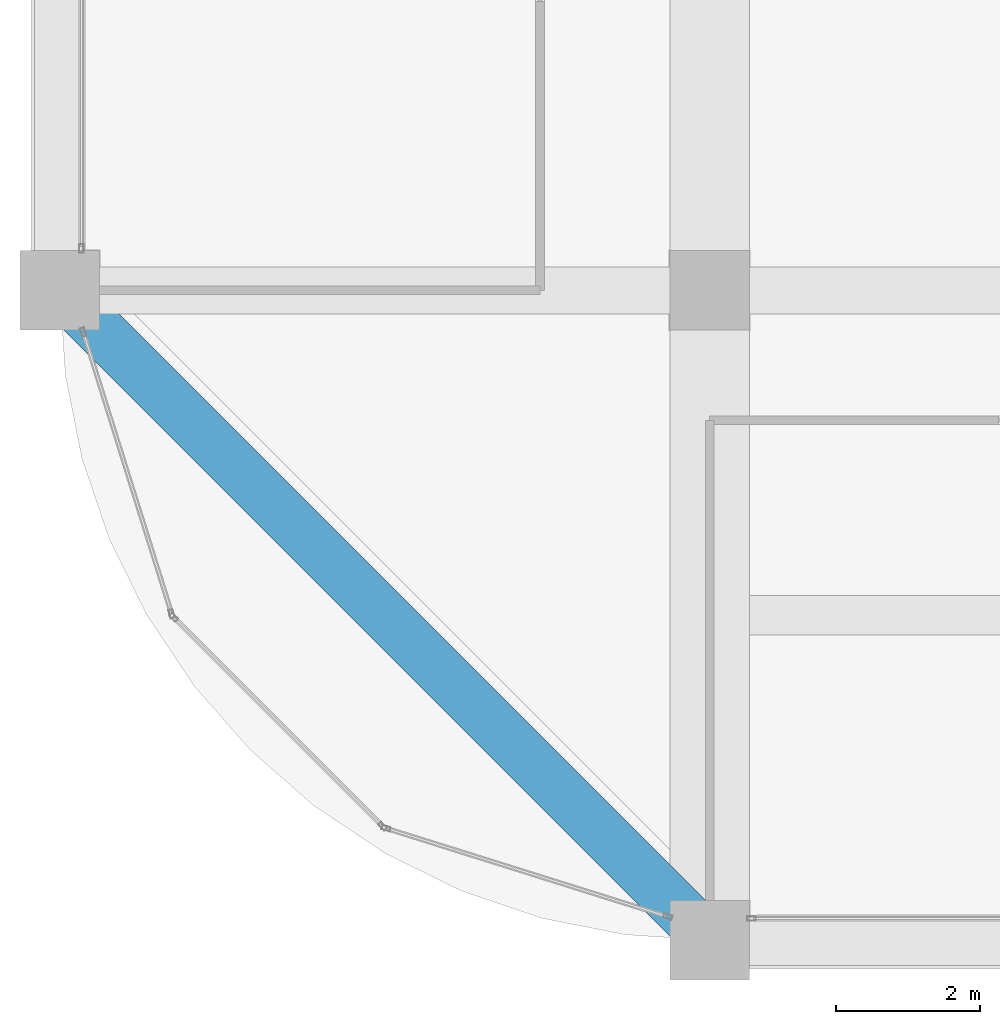
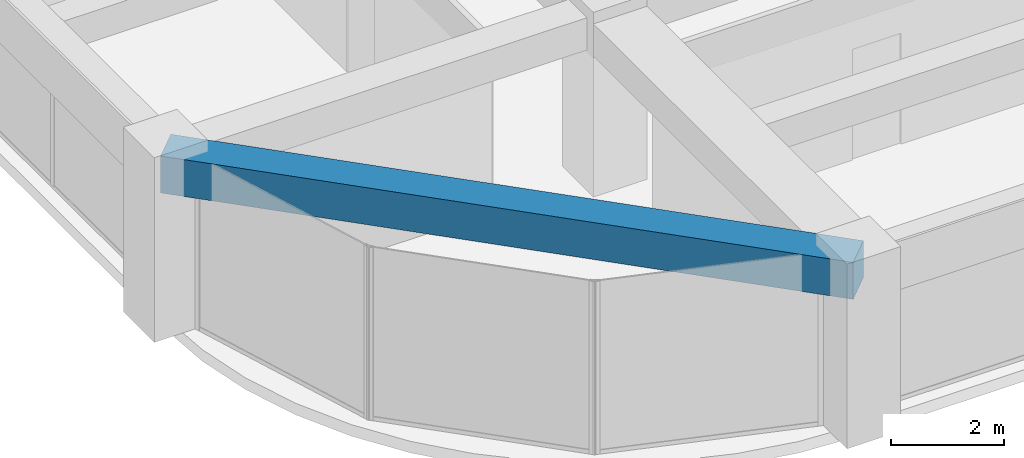
# One storey, part 3 of 44: 1 beam.
"""IFC4 building model written with IfcOpenShell, lengths in metres."""

from ifc_helpers import new_model, si_unit, direction, frame, origin, origin_2d, place, context, subcontext, project, spatial, rectangle, extrude, material, material_profile, profile_set, type_object, element, save


model = new_model("IFC4")

# Units and contexts
model_context = context("Model", 3, precision=1e-05, world=origin(), true_north=direction((0.0, 1.0)))
body_context = subcontext(model_context, "Body", "Model", "MODEL_VIEW")
ifc_project = project(units=[si_unit("LENGTHUNIT", "METRE"), si_unit("AREAUNIT", "SQUARE_METRE"), si_unit("VOLUMEUNIT", "CUBIC_METRE"), si_unit("PLANEANGLEUNIT", "RADIAN"), si_unit("MASSUNIT", "GRAM", prefix="KILO")], contexts=[model_context])

# Site, building, storey
site_placement = place(None, origin())
site = spatial("IfcSite", under=ifc_project, at=site_placement, CompositionType="ELEMENT")
building_placement = place(site_placement, origin())
building = spatial("IfcBuilding", under=site, at=building_placement, Name="Zorevar Civic Tower", CompositionType="ELEMENT")
storey_placement = place(building_placement, frame((0.0, 0.0, 271.39990234375)))
storey = spatial("IfcBuildingStorey", under=building, at=storey_placement, Name="L66", CompositionType="ELEMENT", Elevation=271.39990234375)

# Beam
ifc_material = material(Name="Concrete C50/60", Category="concrete")
ifc_material_profile = material_profile(ifc_material, rectangle(XDim=0.699951171875, YDim=0.800048828125, at=origin_2d()), Name="RC 700x800")
ifc_profile_set = profile_set([ifc_material_profile], Name="Concrete C50/60")
beam_type = type_object("IfcBeamType", Name="Edge beam RC 700x800", PredefinedType="SPANDREL", material=ifc_profile_set)
beam_placement = place(storey_placement, frame((9.0, 9.0, 3.35009765625), z_axis=(0.707106781187, -0.707106781187, 0.0), x_axis=(0.707106781187, 0.707106781187, 0.0)))
element("IfcBeam", 1, at=beam_placement, inside=storey, type_object=beam_type, Name="Corner edge beam L67", PredefinedType="SPANDREL", context=body_context, shape_type="SweptSolid", body=[
    extrude(rectangle(XDim=0.699951171875, YDim=0.800048828125, at=origin_2d()), origin(), (0.0, 0.0, 1.0), 12.72802734375),
])

save(model, "model.ifc")
